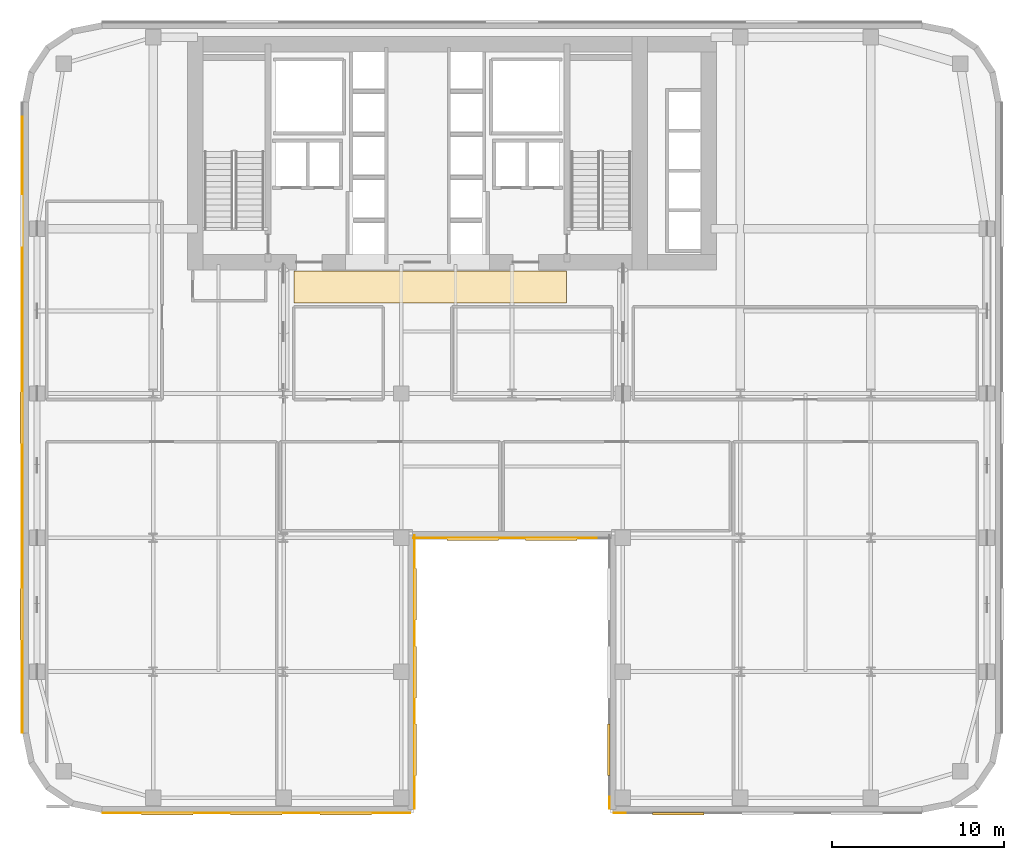
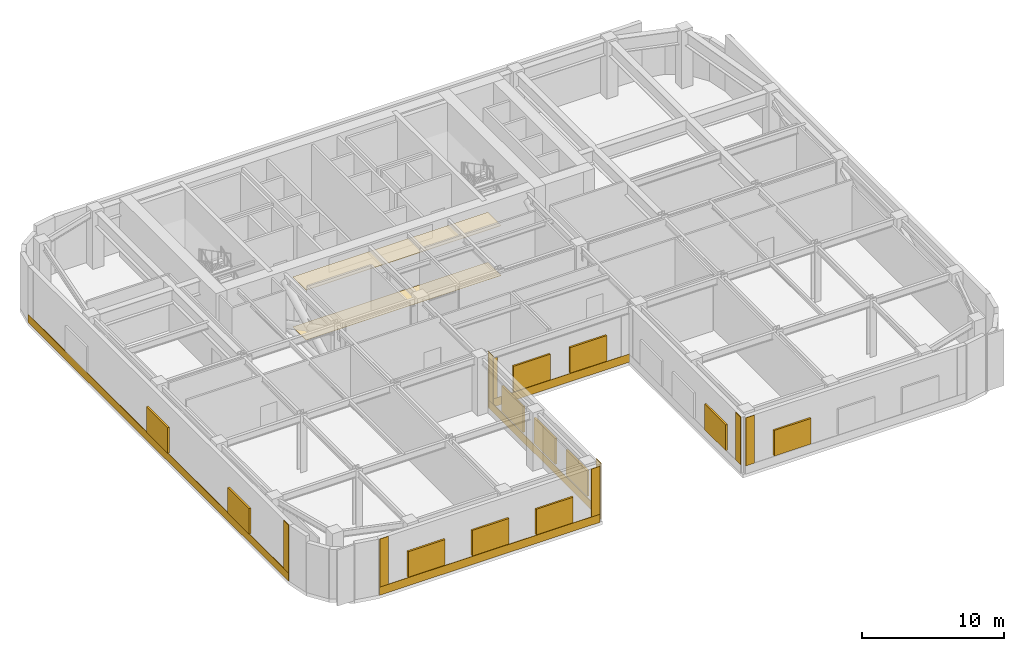
# One storey, part 7 of 11: 14 coverings, 12 shading devices.
"""IFC4 building model written with IfcOpenShell, lengths in metres."""

import ifcopenshell
import ifcopenshell.guid

model = None  # the IFC model being written
_history = None  # IfcOwnerHistory: only IFC2X3 demands one
_inside = {}  # id of a spatial element -> (the spatial element, [elements in it])
_under = {}  # id of a project, library or spatial element -> (it, [spatial elements below it])
_declared = {}  # id of a project -> (the project, [libraries it declares])
_typed = {}  # id of a type object -> (the type object, [elements of that type])
_made_of = {}  # id of a material, layer set ... -> (it, [elements and type objects made of it])


def new_model(schema):
    """Start an empty IFC model of exactly this schema.

    Asked for "IFC4X3", IfcOpenShell would pick the latest addendum, in which some entities
    have other attributes; the version numbers below select the first issue.
    IFC2X3 requires an IfcOwnerHistory on every rooted entity: one is made here for all.
    """
    global model, _history
    if schema == "IFC4X3":
        model = ifcopenshell.file(schema_version=(4, 3, 0, 0))
    else:
        model = ifcopenshell.file(schema=schema)
    _inside.clear()
    _under.clear()
    _declared.clear()
    _typed.clear()
    _made_of.clear()
    _history = None
    if model.schema == "IFC2X3":
        org = make("IfcOrganization", Name="unknown")
        user = make(
            "IfcPersonAndOrganization",
            ThePerson=make("IfcPerson", FamilyName="unknown"),
            TheOrganization=org,
        )
        app = make(
            "IfcApplication",
            ApplicationDeveloper=org,
            Version="unknown",
            ApplicationFullName="unknown",
            ApplicationIdentifier="unknown",
        )
        _history = make(
            "IfcOwnerHistory",
            OwningUser=user,
            OwningApplication=app,
            ChangeAction="ADDED",
            CreationDate=0,
        )
    return model


def make(cls, **values):
    """One entity of the class cls with the attributes given. An attribute that is None is left unset."""
    return model.create_entity(
        cls, **{name: value for name, value in values.items() if value is not None}
    )


def rooted(cls, **values):
    """An entity with a GlobalId (a new one), such as an element, a storey or a relation."""
    return make(cls, GlobalId=ifcopenshell.guid.new(), OwnerHistory=_history, **values)


def si_unit(unit_type, name, prefix=None):
    """IfcSIUnit, for example si_unit("LENGTHUNIT", "METRE", prefix="MILLI")."""
    return make("IfcSIUnit", UnitType=unit_type, Prefix=prefix, Name=name)


def assignment(units):
    """IfcUnitAssignment: the units of a project."""
    return None if units is None else make("IfcUnitAssignment", Units=units)


def point(xyz):
    """IfcCartesianPoint."""
    return None if xyz is None else make("IfcCartesianPoint", Coordinates=xyz)


def direction(xyz):
    """IfcDirection."""
    return None if xyz is None else make("IfcDirection", DirectionRatios=xyz)


def frame(location, z_axis=None, x_axis=None):
    """IfcAxis2Placement3D, a coordinate frame: its origin and axes. An axis left out is left unset."""
    return make(
        "IfcAxis2Placement3D",
        Location=point(location),
        Axis=direction(z_axis),
        RefDirection=direction(x_axis),
    )


def origin():
    """The frame at (0, 0, 0) with its axes left unset."""
    return frame((0.0, 0.0, 0.0))


def place(relative_to, where):
    """IfcLocalPlacement: puts the frame where relative to a parent placement (None: the world)."""
    return make(
        "IfcLocalPlacement", PlacementRelTo=relative_to, RelativePlacement=where
    )


def context(
    kind, dimensions, precision=None, world=None, true_north=None, identifier=None
):
    """IfcGeometricRepresentationContext, for example the 3D "Model" context."""
    return make(
        "IfcGeometricRepresentationContext",
        ContextIdentifier=identifier,
        ContextType=kind,
        CoordinateSpaceDimension=dimensions,
        Precision=precision,
        WorldCoordinateSystem=world,
        TrueNorth=true_north,
    )


def subcontext(parent, identifier, kind, view, scale=None):
    """IfcGeometricRepresentationSubContext, for example "Body" below "Model"."""
    return make(
        "IfcGeometricRepresentationSubContext",
        ContextIdentifier=identifier,
        ContextType=kind,
        ParentContext=parent,
        TargetScale=scale,
        TargetView=view,
    )


def project(units=None, contexts=None):
    """IfcProject with its units and contexts."""
    return rooted(
        "IfcProject",
        Name="project",
        RepresentationContexts=contexts,
        UnitsInContext=assignment(units),
    )


def spatial(cls, under=None, at=None, **own):
    """A site, building, storey or space (cls), placed at a placement, below another one or the project."""
    s = rooted(cls, ObjectPlacement=at, **own)
    if under is not None:
        _under.setdefault(under.id(), (under, []))[1].append(s)
    return s


def polyline(points):
    """IfcPolyline through the points."""
    return make("IfcPolyline", Points=[point(p) for p in points])


def outline(outer, holes=None, kind="AREA"):
    """IfcArbitraryClosedProfileDef: a profile drawn as a closed curve; with holes, ...WithVoids."""
    if holes is None:
        return make("IfcArbitraryClosedProfileDef", ProfileType=kind, OuterCurve=outer)
    return make(
        "IfcArbitraryProfileDefWithVoids",
        ProfileType=kind,
        OuterCurve=outer,
        InnerCurves=holes,
    )


def extrude(swept, where, along, depth):
    """IfcExtrudedAreaSolid: the profile swept, set in the frame where, extruded along a direction by depth."""
    return make(
        "IfcExtrudedAreaSolid",
        SweptArea=swept,
        Position=where,
        ExtrudedDirection=direction(along),
        Depth=depth,
    )


def shape(context_of_items, identifier, shape_type, items):
    """IfcShapeRepresentation: the items that make up one representation, for example the "Body"."""
    return make(
        "IfcShapeRepresentation",
        ContextOfItems=context_of_items,
        RepresentationIdentifier=identifier,
        RepresentationType=shape_type,
        Items=items,
    )


def material(Name=None, Category=None):
    """IfcMaterial."""
    return make("IfcMaterial", Name=Name, Category=Category)


def layer(
    of_material, thickness, ventilated=None, Name=None, Category=None, Priority=None
):
    """IfcMaterialLayer: one layer of a wall or slab, of a material (None: an air gap)."""
    return make(
        "IfcMaterialLayer",
        Material=of_material,
        LayerThickness=thickness,
        IsVentilated=ventilated,
        Name=Name,
        Category=Category,
        Priority=Priority,
    )


def layer_set(layers, Name=None):
    """IfcMaterialLayerSet."""
    return make("IfcMaterialLayerSet", MaterialLayers=layers, LayerSetName=Name)


def made_of(thing, what):
    """Note that an element or type object is made of a material, layer set ...; save() writes the relation."""
    if what is not None:
        _made_of.setdefault(what.id(), (what, []))[1].append(thing)
    return thing


def type_object(cls, material=None, **own):
    """A type object (cls), such as IfcWallType, which elements share."""
    return made_of(rooted(cls, **own), material)


def element(
    cls,
    number,
    at=None,
    inside=None,
    cuts=None,
    type_object=None,
    material=None,
    context=None,
    identifier="Body",
    shape_type=None,
    held_by="IfcProductDefinitionShape",
    body=None,
    shapes=None,
    **own,
):
    """One element of the class cls, such as IfcWall. Its Tag is "e" and its number.

    at: its placement. inside: the storey or other place that contains it. cuts: it is an
    opening in that element (IfcRelVoidsElement). A single representation is given by context,
    identifier, shape_type and body (its items); several are given by shapes. held_by: the class
    of the entity that holds the representations. save() writes the other relations.
    """
    e = rooted(cls, Tag="e%d" % number, ObjectPlacement=at, **own)
    if body is not None:
        shapes = [shape(context, identifier, shape_type, body)]
    if shapes is not None:
        e.Representation = make(held_by, Representations=shapes)
    if inside is not None:
        _inside.setdefault(inside.id(), (inside, []))[1].append(e)
    if cuts is not None:
        rooted(
            "IfcRelVoidsElement", RelatingBuildingElement=cuts, RelatedOpeningElement=e
        )
    if type_object is not None:
        _typed.setdefault(type_object.id(), (type_object, []))[1].append(e)
    return made_of(e, material)


def aggregate(whole, parts):
    """IfcRelAggregates: a whole, such as a stair, and the parts it consists of."""
    return rooted("IfcRelAggregates", RelatingObject=whole, RelatedObjects=parts)


def save(model, path):
    """Write the relations noted so far, then the file.

    IfcRelAggregates (storeys below a building ...), IfcRelContainedInSpatialStructure (elements
    in a storey), IfcRelDefinesByType, IfcRelAssociatesMaterial and IfcRelDeclares: one each for
    every whole, place, type object, material and project.
    """
    for whole, parts in _under.values():
        aggregate(whole, parts)
    for where, things in _inside.values():
        rooted(
            "IfcRelContainedInSpatialStructure",
            RelatedElements=things,
            RelatingStructure=where,
        )
    for kind, things in _typed.values():
        rooted("IfcRelDefinesByType", RelatedObjects=things, RelatingType=kind)
    for what, things in _made_of.values():
        rooted("IfcRelAssociatesMaterial", RelatedObjects=things, RelatingMaterial=what)
    for by, libraries in _declared.values():
        rooted("IfcRelDeclares", RelatingContext=by, RelatedDefinitions=libraries)
    model.write(path)


model = new_model("IFC4")

# Units and contexts
model_context = context("Model", 3, precision=1e-05, world=origin(), true_north=direction((0.0, 1.0)))
body_context = subcontext(model_context, "Body", "Model", "MODEL_VIEW")
ifc_project = project(units=[si_unit("LENGTHUNIT", "METRE"), si_unit("AREAUNIT", "SQUARE_METRE"), si_unit("VOLUMEUNIT", "CUBIC_METRE"), si_unit("PLANEANGLEUNIT", "RADIAN"), si_unit("MASSUNIT", "GRAM", prefix="KILO")], contexts=[model_context])

# Site, building, storey
site_placement = place(None, origin())
site = spatial("IfcSite", under=ifc_project, at=site_placement, CompositionType="ELEMENT")
building_placement = place(site_placement, origin())
building = spatial("IfcBuilding", under=site, at=building_placement, Name="Tolvann Quenvar Hotel", CompositionType="ELEMENT")
storey_placement = place(building_placement, frame((0.0, 0.0, 95.89990234375)))
storey = spatial("IfcBuildingStorey", under=building, at=storey_placement, Name="L24", CompositionType="ELEMENT", Elevation=95.89990234375)

# Coverings
ifc_material_1 = material(Name="Micro-perforated acoustic mineral-fibre and timber-batten suspended ceiling", Category="wood")
ifc_layer_1 = layer(ifc_material_1, 0.0400390625)
ifc_layer_set_1 = layer_set([ifc_layer_1], Name="Micro-perforated acoustic mineral-fibre and timber-batten suspended ceiling")
covering_type_1 = type_object("IfcCoveringType", Name="COV_CEIL_ACOUSTIC_40", PredefinedType="CEILING", material=ifc_layer_set_1)
covering_1_placement = place(storey_placement, frame((0.0, 0.0, 4.280029296875)))
element("IfcCovering", 1, at=covering_1_placement, inside=storey, type_object=covering_type_1, Name="Suspended Acoustic Ceiling (Plant Core Stair Vestibule L24)", PredefinedType="CEILING", context=body_context, shape_type="SweptSolid", body=[
    extrude(outline(polyline([(15.820068359375, 29.669921875), (31.679931640625, 29.669921875), (31.679931640625, 31.5400390625), (15.820068359375, 31.5400390625), (15.820068359375, 29.669921875)])), origin(), (0.0, 0.0, 1.0), 0.0400390625),
])
ifc_material_2 = material(Name="Kiln-fired red architectural face brick cladding", Category="masonry")
ifc_layer_2 = layer(ifc_material_2, 0.0400390625)
ifc_layer_set_2 = layer_set([ifc_layer_2], Name="Kiln-fired red architectural face brick cladding")
covering_type_2 = type_object("IfcCoveringType", Name="COV_CLAD_BRICK_40", PredefinedType="CLADDING", material=ifc_layer_set_2)
covering_2_placement = place(storey_placement, frame((0.0, 0.0, 0.7001953125)))
element("IfcCovering", 2, at=covering_2_placement, inside=storey, type_object=covering_type_2, Name="Brick Pier Cladding (L24-E04-P1)", PredefinedType="CLADDING", context=body_context, shape_type="SweptSolid", body=[
    extrude(outline(polyline([(4.667236328125, 0.0), (5.3671875, 0.0), (5.3671875, -0.0400390625), (4.667236328125, -0.0400390625), (4.667236328125, 0.0)])), origin(), (0.0, 0.0, 1.0), 4.119873046875),
])
covering_3_placement = place(storey_placement, frame((0.0, 0.0, 0.7001953125)))
element("IfcCovering", 3, at=covering_3_placement, inside=storey, type_object=covering_type_2, Name="Brick Pier Cladding (L24-E04-P2)", PredefinedType="CLADDING", context=body_context, shape_type="SweptSolid", body=[
    extrude(outline(polyline([(21.875, 0.0), (22.574951171875, 0.0), (22.574951171875, -0.0400390625), (21.875, -0.0400390625), (21.875, 0.0)])), origin(), (0.0, 0.0, 1.0), 4.119873046875),
])
covering_4_placement = place(storey_placement, frame((0.0, 0.0, 0.7001953125)))
element("IfcCovering", 4, at=covering_4_placement, inside=storey, type_object=covering_type_2, Name="Brick Pier Cladding (L24-E05-P1)", PredefinedType="CLADDING", context=body_context, shape_type="SweptSolid", body=[
    extrude(outline(polyline([(22.800048828125, 0.22509765625), (22.800048828125, 0.925048828125), (22.840087890625, 0.925048828125), (22.840087890625, 0.22509765625), (22.800048828125, 0.22509765625)])), origin(), (0.0, 0.0, 1.0), 4.119873046875),
])
covering_5_placement = place(storey_placement, frame((0.0, 0.0, 0.7001953125)))
element("IfcCovering", 5, at=covering_5_placement, inside=storey, type_object=covering_type_2, Name="Brick Pier Cladding (L24-E05-P2)", PredefinedType="CLADDING", context=body_context, shape_type="SweptSolid", body=[
    extrude(outline(polyline([(22.800048828125, 15.425048828125), (22.800048828125, 16.125), (22.840087890625, 16.125), (22.840087890625, 15.425048828125), (22.800048828125, 15.425048828125)])), origin(), (0.0, 0.0, 1.0), 4.119873046875),
])
covering_6_placement = place(storey_placement, frame((0.0, 0.0, 0.7001953125)))
element("IfcCovering", 6, at=covering_6_placement, inside=storey, type_object=covering_type_2, Name="Brick Pier Cladding (L24-E06-P1)", PredefinedType="CLADDING", context=body_context, shape_type="SweptSolid", body=[
    extrude(outline(polyline([(22.760009765625, 16.0), (23.4599609375, 16.0), (23.4599609375, 15.9599609375), (22.760009765625, 15.9599609375), (22.760009765625, 16.0)])), origin(), (0.0, 0.0, 1.0), 3.497802734375),
])
covering_7_placement = place(storey_placement, frame((0.0, 0.0, 0.7001953125)))
element("IfcCovering", 7, at=covering_7_placement, inside=storey, type_object=covering_type_2, Name="Brick Pier Cladding (L24-E07-P2)", PredefinedType="CLADDING", context=body_context, shape_type="SweptSolid", body=[
    extrude(outline(polyline([(34.199951171875, 0.925048828125), (34.199951171875, 0.22509765625), (34.159912109375, 0.22509765625), (34.159912109375, 0.925048828125), (34.199951171875, 0.925048828125)])), origin(), (0.0, 0.0, 1.0), 4.119873046875),
])
covering_8_placement = place(storey_placement, frame((0.0, 0.0, 0.7001953125)))
element("IfcCovering", 8, at=covering_8_placement, inside=storey, type_object=covering_type_2, Name="Brick Pier Cladding (L24-E08-P1)", PredefinedType="CLADDING", context=body_context, shape_type="SweptSolid", body=[
    extrude(outline(polyline([(34.425048828125, 0.0), (35.125, 0.0), (35.125, -0.0400390625), (34.425048828125, -0.0400390625), (34.425048828125, 0.0)])), origin(), (0.0, 0.0, 1.0), 4.119873046875),
])
covering_9_placement = place(storey_placement, frame((0.0, 0.0, 0.7001953125)))
element("IfcCovering", 9, at=covering_9_placement, inside=storey, type_object=covering_type_2, Name="Brick Pier Cladding (L24-E23-P2)", PredefinedType="CLADDING", context=body_context, shape_type="SweptSolid", body=[
    extrude(outline(polyline([(0.0, 5.3671875), (0.0, 4.667236328125), (-0.0400390625, 4.667236328125), (-0.0400390625, 5.3671875), (0.0, 5.3671875)])), origin(), (0.0, 0.0, 1.0), 4.119873046875),
])
ifc_material_3 = material(Name="Moulded buff architectural terracotta spandrel cladding", Category="masonry")
ifc_layer_3 = layer(ifc_material_3, 0.0400390625)
ifc_layer_set_3 = layer_set([ifc_layer_3], Name="Moulded buff architectural terracotta spandrel cladding")
covering_type_3 = type_object("IfcCoveringType", Name="COV_CLAD_TERRA_40", PredefinedType="CLADDING", material=ifc_layer_set_3)
covering_10_placement = place(storey_placement, origin())
element("IfcCovering", 10, at=covering_10_placement, inside=storey, type_object=covering_type_3, Name="Terracotta Spandrel Cladding (L24-E04)", PredefinedType="CLADDING", context=body_context, shape_type="SweptSolid", body=[
    extrude(outline(polyline([(4.6572265625, 0.0), (22.5849609375, 0.0), (22.5849609375, -0.0400390625), (4.6572265625, -0.0400390625), (4.6572265625, 0.0)])), origin(), (0.0, 0.0, 1.0), 0.7001953125),
])
covering_11_placement = place(storey_placement, origin())
element("IfcCovering", 11, at=covering_11_placement, inside=storey, type_object=covering_type_3, Name="Terracotta Spandrel Cladding (L24-E05)", PredefinedType="CLADDING", context=body_context, shape_type="SweptSolid", body=[
    extrude(outline(polyline([(22.800048828125, 0.215087890625), (22.800048828125, 16.135009765625), (22.840087890625, 16.135009765625), (22.840087890625, 0.215087890625), (22.800048828125, 0.215087890625)])), origin(), (0.0, 0.0, 1.0), 0.7001953125),
])
covering_12_placement = place(storey_placement, origin())
element("IfcCovering", 12, at=covering_12_placement, inside=storey, type_object=covering_type_3, Name="Terracotta Spandrel Cladding (L24-E06)", PredefinedType="CLADDING", context=body_context, shape_type="SweptSolid", body=[
    extrude(outline(polyline([(22.75, 16.0), (34.25, 16.0), (34.25, 15.9599609375), (22.75, 15.9599609375), (22.75, 16.0)])), origin(), (0.0, 0.0, 1.0), 0.7001953125),
])
covering_13_placement = place(storey_placement, origin())
element("IfcCovering", 13, at=covering_13_placement, inside=storey, type_object=covering_type_3, Name="Terracotta Spandrel Cladding (L24-E23)", PredefinedType="CLADDING", context=body_context, shape_type="SweptSolid", body=[
    extrude(outline(polyline([(0.0, 41.3427734375), (0.0, 4.6572265625), (-0.0400390625, 4.6572265625), (-0.0400390625, 41.3427734375), (0.0, 41.3427734375)])), origin(), (0.0, 0.0, 1.0), 0.7001953125),
])
ifc_material_4 = material(Name="Honed Australian bluestone, terrazzo and engineered oak flooring", Category="masonry")
ifc_layer_4 = layer(ifc_material_4, 0.02001953125)
ifc_layer_set_4 = layer_set([ifc_layer_4], Name="Honed Australian bluestone, terrazzo and engineered oak flooring")
covering_type_4 = type_object("IfcCoveringType", Name="COV_FLOOR_STONE_20", PredefinedType="FLOORING", material=ifc_layer_set_4)
covering_14_placement = place(storey_placement, origin())
element("IfcCovering", 14, at=covering_14_placement, inside=storey, type_object=covering_type_4, Name="Architectural Floor Finish (Plant Core Stair Vestibule L24)", PredefinedType="FLOORING", context=body_context, shape_type="SweptSolid", body=[
    extrude(outline(polyline([(15.820068359375, 29.669921875), (31.679931640625, 29.669921875), (31.679931640625, 31.5400390625), (15.820068359375, 31.5400390625), (15.820068359375, 29.669921875)])), origin(), (0.0, 0.0, 1.0), 0.02001953125),
])

# Shading devices
ifc_material_5 = material(Name="Extruded bronze-anodised aluminium acoustic weather louvre", Category="aluminium")
shading_device_type = type_object("IfcShadingDeviceType", Name="SHD_LOUVRE_AL", PredefinedType="JALOUSIE", material=ifc_material_5)
shading_device_1_placement = place(storey_placement, frame((0.0, 0.0, 0.820068359375)))
element("IfcShadingDevice", 15, at=shading_device_1_placement, inside=storey, type_object=shading_device_type, Name="Acoustic Plant Weather Louvre (L24-E04-1)", PredefinedType="JALOUSIE", context=body_context, shape_type="SweptSolid", body=[
    extrude(outline(polyline([(6.91845703125, 0.0), (9.91845703125, 0.0), (9.91845703125, -0.14990234375), (6.91845703125, -0.14990234375), (6.91845703125, 0.0)])), origin(), (0.0, 0.0, 1.0), 2.199951171875),
])
shading_device_2_placement = place(storey_placement, frame((0.0, 0.0, 0.820068359375)))
element("IfcShadingDevice", 16, at=shading_device_2_placement, inside=storey, type_object=shading_device_type, Name="Acoustic Plant Weather Louvre (L24-E04-2)", PredefinedType="JALOUSIE", context=body_context, shape_type="SweptSolid", body=[
    extrude(outline(polyline([(12.12109375, 0.0), (15.12109375, 0.0), (15.12109375, -0.14990234375), (12.12109375, -0.14990234375), (12.12109375, 0.0)])), origin(), (0.0, 0.0, 1.0), 2.199951171875),
])
shading_device_3_placement = place(storey_placement, frame((0.0, 0.0, 0.820068359375)))
element("IfcShadingDevice", 17, at=shading_device_3_placement, inside=storey, type_object=shading_device_type, Name="Acoustic Plant Weather Louvre (L24-E04-3)", PredefinedType="JALOUSIE", context=body_context, shape_type="SweptSolid", body=[
    extrude(outline(polyline([(17.32373046875, 0.0), (20.32373046875, 0.0), (20.32373046875, -0.14990234375), (17.32373046875, -0.14990234375), (17.32373046875, 0.0)])), origin(), (0.0, 0.0, 1.0), 2.199951171875),
])
shading_device_4_placement = place(storey_placement, frame((0.0, 0.0, 0.820068359375)))
element("IfcShadingDevice", 18, at=shading_device_4_placement, inside=storey, type_object=shading_device_type, Name="Acoustic Plant Weather Louvre (L24-E05-1)", PredefinedType="JALOUSIE", context=body_context, shape_type="SweptSolid", body=[
    extrude(outline(polyline([(22.800048828125, 2.1416015625), (22.800048828125, 5.1416015625), (22.949951171875, 5.1416015625), (22.949951171875, 2.1416015625), (22.800048828125, 2.1416015625)])), origin(), (0.0, 0.0, 1.0), 2.199951171875),
])
shading_device_5_placement = place(storey_placement, frame((0.0, 0.0, 0.820068359375)))
element("IfcShadingDevice", 19, at=shading_device_5_placement, inside=storey, type_object=shading_device_type, Name="Acoustic Plant Weather Louvre (L24-E05-2)", PredefinedType="JALOUSIE", context=body_context, shape_type="SweptSolid", body=[
    extrude(outline(polyline([(22.800048828125, 6.675048828125), (22.800048828125, 9.675048828125), (22.949951171875, 9.675048828125), (22.949951171875, 6.675048828125), (22.800048828125, 6.675048828125)])), origin(), (0.0, 0.0, 1.0), 2.199951171875),
])
shading_device_6_placement = place(storey_placement, frame((0.0, 0.0, 0.820068359375)))
element("IfcShadingDevice", 20, at=shading_device_6_placement, inside=storey, type_object=shading_device_type, Name="Acoustic Plant Weather Louvre (L24-E05-3)", PredefinedType="JALOUSIE", context=body_context, shape_type="SweptSolid", body=[
    extrude(outline(polyline([(22.800048828125, 11.208251953125), (22.800048828125, 14.208251953125), (22.949951171875, 14.208251953125), (22.949951171875, 11.208251953125), (22.800048828125, 11.208251953125)])), origin(), (0.0, 0.0, 1.0), 2.199951171875),
])
shading_device_7_placement = place(storey_placement, frame((0.0, 0.0, 0.820068359375)))
element("IfcShadingDevice", 21, at=shading_device_7_placement, inside=storey, type_object=shading_device_type, Name="Acoustic Plant Weather Louvre (L24-E06-1)", PredefinedType="JALOUSIE", context=body_context, shape_type="SweptSolid", body=[
    extrude(outline(polyline([(24.705078125, 16.0), (27.705078125, 16.0), (27.705078125, 15.85009765625), (24.705078125, 15.85009765625), (24.705078125, 16.0)])), origin(), (0.0, 0.0, 1.0), 2.199951171875),
])
shading_device_8_placement = place(storey_placement, frame((0.0, 0.0, 0.820068359375)))
element("IfcShadingDevice", 22, at=shading_device_8_placement, inside=storey, type_object=shading_device_type, Name="Acoustic Plant Weather Louvre (L24-E06-2)", PredefinedType="JALOUSIE", context=body_context, shape_type="SweptSolid", body=[
    extrude(outline(polyline([(29.294921875, 16.0), (32.294921875, 16.0), (32.294921875, 15.85009765625), (29.294921875, 15.85009765625), (29.294921875, 16.0)])), origin(), (0.0, 0.0, 1.0), 2.199951171875),
])
shading_device_9_placement = place(storey_placement, frame((0.0, 0.0, 0.820068359375)))
element("IfcShadingDevice", 23, at=shading_device_9_placement, inside=storey, type_object=shading_device_type, Name="Acoustic Plant Weather Louvre (L24-E07-3)", PredefinedType="JALOUSIE", context=body_context, shape_type="SweptSolid", body=[
    extrude(outline(polyline([(34.199951171875, 5.1416015625), (34.199951171875, 2.1416015625), (34.050048828125, 2.1416015625), (34.050048828125, 5.1416015625), (34.199951171875, 5.1416015625)])), origin(), (0.0, 0.0, 1.0), 2.199951171875),
])
shading_device_10_placement = place(storey_placement, frame((0.0, 0.0, 0.820068359375)))
element("IfcShadingDevice", 24, at=shading_device_10_placement, inside=storey, type_object=shading_device_type, Name="Acoustic Plant Weather Louvre (L24-E08-1)", PredefinedType="JALOUSIE", context=body_context, shape_type="SweptSolid", body=[
    extrude(outline(polyline([(36.67626953125, 0.0), (39.67626953125, 0.0), (39.67626953125, -0.14990234375), (36.67626953125, -0.14990234375), (36.67626953125, 0.0)])), origin(), (0.0, 0.0, 1.0), 2.199951171875),
])
shading_device_11_placement = place(storey_placement, frame((0.0, 0.0, 0.820068359375)))
element("IfcShadingDevice", 25, at=shading_device_11_placement, inside=storey, type_object=shading_device_type, Name="Acoustic Plant Weather Louvre (L24-E23-2)", PredefinedType="JALOUSIE", context=body_context, shape_type="SweptSolid", body=[
    extrude(outline(polyline([(0.0, 24.5), (0.0, 21.5), (-0.14990234375, 21.5), (-0.14990234375, 24.5), (0.0, 24.5)])), origin(), (0.0, 0.0, 1.0), 2.199951171875),
])
shading_device_12_placement = place(storey_placement, frame((0.0, 0.0, 0.820068359375)))
element("IfcShadingDevice", 26, at=shading_device_12_placement, inside=storey, type_object=shading_device_type, Name="Acoustic Plant Weather Louvre (L24-E23-3)", PredefinedType="JALOUSIE", context=body_context, shape_type="SweptSolid", body=[
    extrude(outline(polyline([(0.0, 13.044921875), (0.0, 10.044921875), (-0.14990234375, 10.044921875), (-0.14990234375, 13.044921875), (0.0, 13.044921875)])), origin(), (0.0, 0.0, 1.0), 2.199951171875),
])

save(model, "model.ifc")
